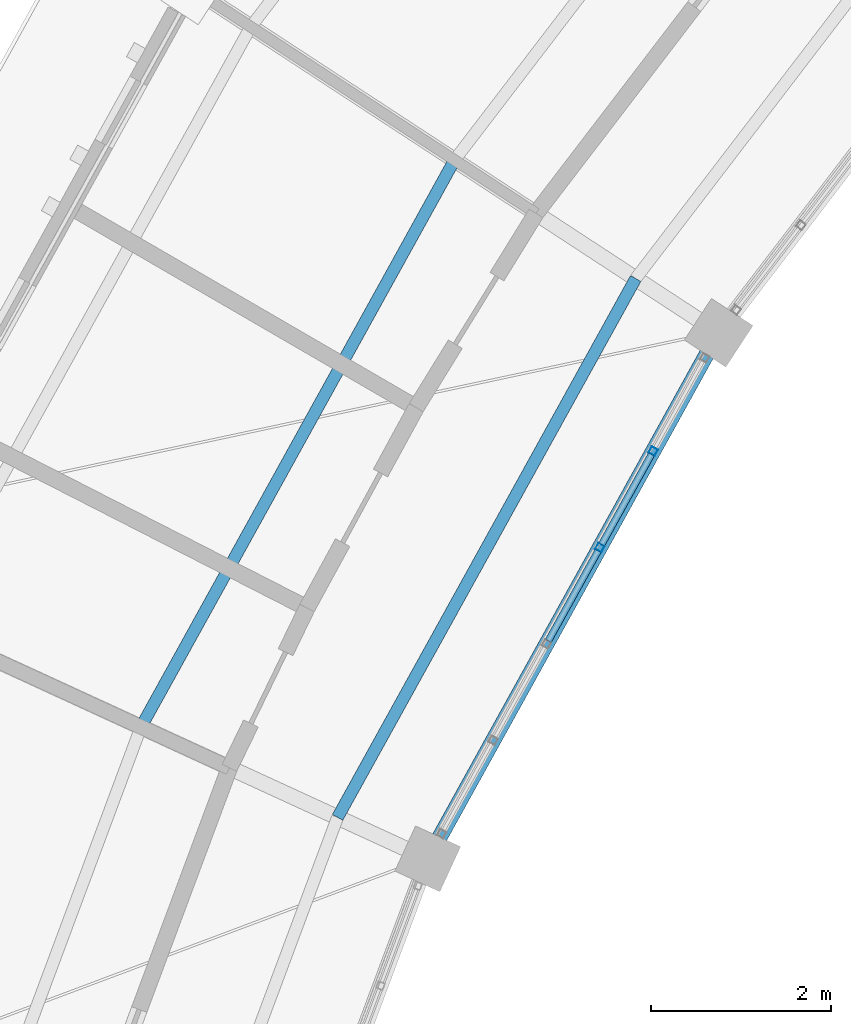
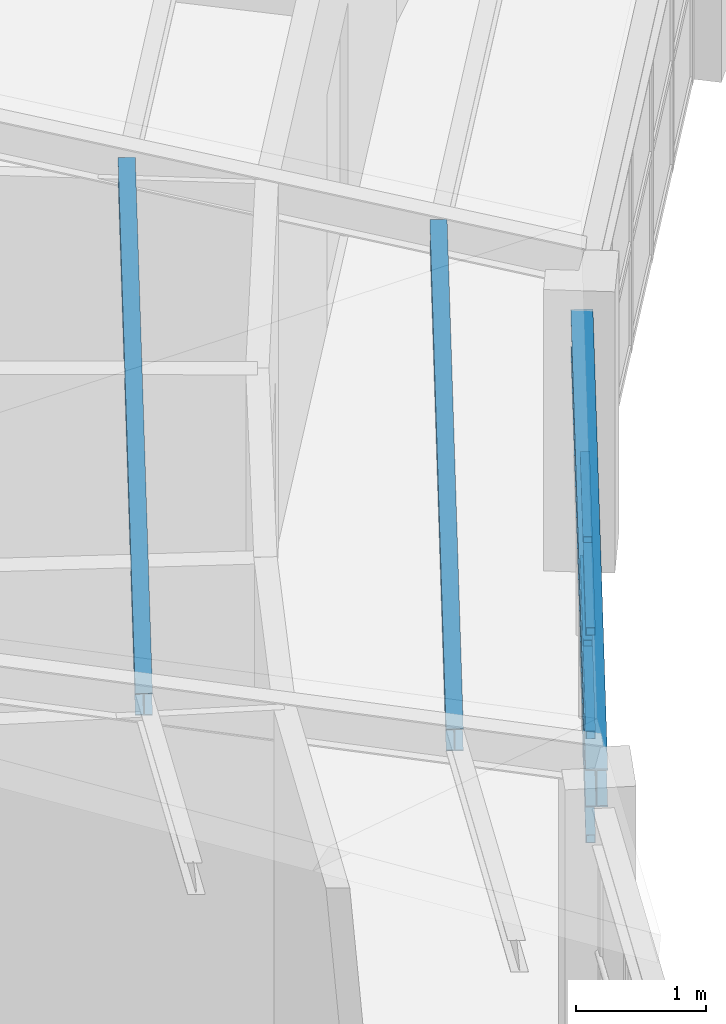
# One storey, part 68 of 149: 10 members, 1 beam, 1 element without a shape of its own.
"""IFC4 building model written with IfcOpenShell, lengths in metres."""

from ifc_helpers import new_model, si_unit, direction, frame, origin, origin_2d, place, context, subcontext, project, spatial, hollow_rectangle, i_section, extrude, material, material_profile, profile_set, type_object, element, aggregate, save


model = new_model("IFC4")

# Units and contexts
model_context = context("Model", 3, precision=1e-05, world=origin(), true_north=direction((0.0, 1.0)))
body_context = subcontext(model_context, "Body", "Model", "MODEL_VIEW")
ifc_project = project(units=[si_unit("LENGTHUNIT", "METRE"), si_unit("AREAUNIT", "SQUARE_METRE"), si_unit("VOLUMEUNIT", "CUBIC_METRE"), si_unit("PLANEANGLEUNIT", "RADIAN"), si_unit("MASSUNIT", "GRAM", prefix="KILO")], contexts=[model_context])

# Site, building, storey
site_placement = place(None, origin())
site = spatial("IfcSite", under=ifc_project, at=site_placement, CompositionType="ELEMENT")
building_placement = place(site_placement, origin())
building = spatial("IfcBuilding", under=site, at=building_placement, Name="Celadon Cloister-Ring School", CompositionType="ELEMENT")
storey_placement = place(building_placement, frame((0.0, 0.0, 12.5)))
storey = spatial("IfcBuildingStorey", under=building, at=storey_placement, Name="L03", CompositionType="ELEMENT", Elevation=12.5)

# Curtain wall, members
ifc_material_1 = material(Name="Aluminium EN AW-6063 T6", Category="aluminium")
curtain_wall_type = type_object("IfcCurtainWallType", Name="CW-02", PredefinedType="USERDEFINED", material=ifc_material_1)
curtain_wall_placement = place(storey_placement, origin())
curtain_wall = element("IfcCurtainWall", 1, at=curtain_wall_placement, inside=storey, type_object=curtain_wall_type, Name="Curtain Wall 0047", ObjectType="CURTAIN WALL", PredefinedType="USERDEFINED")
ifc_material_2 = material(Name="Aluminium EN AW-6063 T6", Category="aluminium")
ifc_material_profile_1 = material_profile(ifc_material_2, hollow_rectangle(XDim=0.080078125, YDim=0.080078125, WallThickness=0.00390625, at=origin_2d()), Name="RHS80X80X4")
ifc_profile_set_1 = profile_set([ifc_material_profile_1], Name="Aluminium EN AW-6063 T6")
member_type_1 = type_object("IfcMemberType", Name="CM-03", PredefinedType="MULLION", material=ifc_profile_set_1)
member_1_placement = place(storey_placement, frame((48.61572265625, 82.32177734375, 0.0), z_axis=(0.0, 0.0, 1.0), x_axis=(0.875128442804, -0.483890699018, 0.0)))
member_1 = element("IfcMember", 2, at=member_1_placement, type_object=member_type_1, Name="CW-02 mullion 2", PredefinedType="MULLION", context=body_context, shape_type="SweptSolid", body=[
    extrude(hollow_rectangle(XDim=0.080078125, YDim=0.080078125, WallThickness=0.00390625, at=origin_2d()), origin(), (0.0, 0.0, 1.0), 2.02001953125),
])
member_2_placement = place(storey_placement, frame((48.024658203125, 81.252685546875, 0.0), z_axis=(0.0, 0.0, 1.0), x_axis=(0.875128442804, -0.483890699018, 0.0)))
member_2 = element("IfcMember", 3, at=member_2_placement, type_object=member_type_1, Name="CW-02 mullion 3", PredefinedType="MULLION", context=body_context, shape_type="SweptSolid", body=[
    extrude(hollow_rectangle(XDim=0.080078125, YDim=0.080078125, WallThickness=0.00390625, at=origin_2d()), origin(), (0.0, 0.0, 1.0), 2.02001953125),
])
ifc_material_3 = material(Name="Aluminium EN AW-6063 T6", Category="aluminium")
ifc_material_profile_2 = material_profile(ifc_material_3, hollow_rectangle(XDim=0.074951171875, YDim=0.074951171875, WallThickness=0.00390625, at=origin_2d()), Name="RHS75X75X4")
ifc_profile_set_2 = profile_set([ifc_material_profile_2], Name="Aluminium EN AW-6063 T6")
member_type_2 = type_object("IfcMemberType", Name="CTM-03", PredefinedType="USERDEFINED", material=ifc_profile_set_2)
member_3_placement = place(storey_placement, frame((48.596435546875, 82.286865234375, 0.03759765625), z_axis=(-0.483862825126, -0.875143854724, 0.0), x_axis=(0.875143854724, -0.483862825126, 0.0)))
member_3 = element("IfcMember", 4, at=member_3_placement, type_object=member_type_2, Name="CW-02 transom 2.1", ObjectType="TRANSOM", PredefinedType="USERDEFINED", context=body_context, shape_type="SweptSolid", body=[
    extrude(hollow_rectangle(XDim=0.074951171875, YDim=0.074951171875, WallThickness=0.00390625, at=origin_2d()), origin(), (0.0, 0.0, 1.0), 1.141845703125),
])
member_4_placement = place(storey_placement, frame((48.596435546875, 82.286865234375, 1.010009765625), z_axis=(-0.483862825126, -0.875143854724, 0.0), x_axis=(0.875143854724, -0.483862825126, 0.0)))
member_4 = element("IfcMember", 5, at=member_4_placement, type_object=member_type_2, Name="CW-02 transom 2.2", ObjectType="TRANSOM", PredefinedType="USERDEFINED", context=body_context, shape_type="SweptSolid", body=[
    extrude(hollow_rectangle(XDim=0.074951171875, YDim=0.074951171875, WallThickness=0.00390625, at=origin_2d()), origin(), (0.0, 0.0, 1.0), 1.141845703125),
])
member_5_placement = place(storey_placement, frame((48.596435546875, 82.286865234375, 1.982421875), z_axis=(-0.483862825126, -0.875143854724, 0.0), x_axis=(0.875143854724, -0.483862825126, 0.0)))
member_5 = element("IfcMember", 6, at=member_5_placement, type_object=member_type_2, Name="CW-02 transom 2.3", ObjectType="TRANSOM", PredefinedType="USERDEFINED", context=body_context, shape_type="SweptSolid", body=[
    extrude(hollow_rectangle(XDim=0.074951171875, YDim=0.074951171875, WallThickness=0.00390625, at=origin_2d()), origin(), (0.0, 0.0, 1.0), 1.141845703125),
])
member_6_placement = place(storey_placement, frame((48.005126953125, 81.217529296875, 0.03759765625), z_axis=(-0.483953379254, -0.875093781665, 0.0), x_axis=(0.875093781665, -0.483953379254, 0.0)))
member_6 = element("IfcMember", 7, at=member_6_placement, type_object=member_type_2, Name="CW-02 transom 3.1", ObjectType="TRANSOM", PredefinedType="USERDEFINED", context=body_context, shape_type="SweptSolid", body=[
    extrude(hollow_rectangle(XDim=0.074951171875, YDim=0.074951171875, WallThickness=0.00390625, at=origin_2d()), origin(), (0.0, 0.0, 1.0), 1.1416015625),
])
member_7_placement = place(storey_placement, frame((48.005126953125, 81.217529296875, 1.010009765625), z_axis=(-0.483953379254, -0.875093781665, 0.0), x_axis=(0.875093781665, -0.483953379254, 0.0)))
member_7 = element("IfcMember", 8, at=member_7_placement, type_object=member_type_2, Name="CW-02 transom 3.2", ObjectType="TRANSOM", PredefinedType="USERDEFINED", context=body_context, shape_type="SweptSolid", body=[
    extrude(hollow_rectangle(XDim=0.074951171875, YDim=0.074951171875, WallThickness=0.00390625, at=origin_2d()), origin(), (0.0, 0.0, 1.0), 1.1416015625),
])
member_8_placement = place(storey_placement, frame((48.005126953125, 81.217529296875, 1.982421875), z_axis=(-0.483953379254, -0.875093781665, 0.0), x_axis=(0.875093781665, -0.483953379254, 0.0)))
member_8 = element("IfcMember", 9, at=member_8_placement, type_object=member_type_2, Name="CW-02 transom 3.3", ObjectType="TRANSOM", PredefinedType="USERDEFINED", context=body_context, shape_type="SweptSolid", body=[
    extrude(hollow_rectangle(XDim=0.074951171875, YDim=0.074951171875, WallThickness=0.00390625, at=origin_2d()), origin(), (0.0, 0.0, 1.0), 1.1416015625),
])
aggregate(curtain_wall, [member_1, member_2, member_3, member_4, member_5, member_6, member_7, member_8])

# Beam
ifc_material_4 = material(Name="Structural steel S355JR", Category="steel")
ifc_material_profile_3 = material_profile(ifc_material_4, i_section(OverallWidth=0.1708984375, OverallDepth=0.35498046875, WebThickness=0.007080078125, FlangeThickness=0.01171875, at=origin_2d()), Name="W360X51")
ifc_profile_set_3 = profile_set([ifc_material_profile_3], Name="Structural steel S355JR")
beam_type = type_object("IfcBeamType", Name="GT-08", PredefinedType="USERDEFINED", material=ifc_profile_set_3)
beam_placement = place(storey_placement, frame((49.220947265625, 83.416015625, 2.27197265625), z_axis=(-0.483920761049, -0.875111819727, 0.0), x_axis=(0.875111819727, -0.483920761049, 0.0)))
element("IfcBeam", 10, at=beam_placement, inside=storey, type_object=beam_type, Name="Beam 0531", ObjectType="GIRDER", PredefinedType="USERDEFINED", context=body_context, shape_type="SweptSolid", body=[
    extrude(i_section(OverallWidth=0.1708984375, OverallDepth=0.35498046875, WebThickness=0.007080078125, FlangeThickness=0.01171875, at=origin_2d()), origin(), (0.0, 0.0, 1.0), 6.166015625),
])

# Members
ifc_material_5 = material(Name="Structural steel S355JR", Category="steel")
ifc_material_profile_4 = material_profile(ifc_material_5, i_section(OverallWidth=0.133056640625, OverallDepth=0.20703125, WebThickness=0.005859375, FlangeThickness=0.00830078125, at=origin_2d()), Name="W200X27")
ifc_profile_set_4 = profile_set([ifc_material_profile_4], Name="Structural steel S355JR")
member_type_3 = type_object("IfcMemberType", Name="MP-04", PredefinedType="PURLIN", material=ifc_profile_set_4)
member_9_placement = place(storey_placement, frame((48.422119140625, 84.237060546875, 2.970947265625), z_axis=(-0.484088173634, -0.87501922273, 0.0), x_axis=(0.87501922273, -0.484088173634, 0.0)))
element("IfcMember", 11, at=member_9_placement, inside=storey, type_object=member_type_3, Name="Structural Member 0091", PredefinedType="PURLIN", context=body_context, shape_type="SweptSolid", body=[
    extrude(i_section(OverallWidth=0.133056640625, OverallDepth=0.20703125, WebThickness=0.005859375, FlangeThickness=0.00830078125, at=origin_2d()), origin(), (0.0, 0.0, 1.0), 6.82958984375),
])
member_10_placement = place(storey_placement, frame((46.4130859375, 85.551025390625, 3.4599609375), z_axis=(-0.483905281913, -0.875120379226, 0.0), x_axis=(0.875120379226, -0.483905281913, 0.0)))
element("IfcMember", 12, at=member_10_placement, inside=storey, type_object=member_type_3, Name="Structural Member 0092", PredefinedType="PURLIN", context=body_context, shape_type="SweptSolid", body=[
    extrude(i_section(OverallWidth=0.133056640625, OverallDepth=0.20703125, WebThickness=0.005859375, FlangeThickness=0.00830078125, at=origin_2d()), origin(), (0.0, 0.0, 1.0), 7.185302734375),
])

save(model, "model.ifc")
